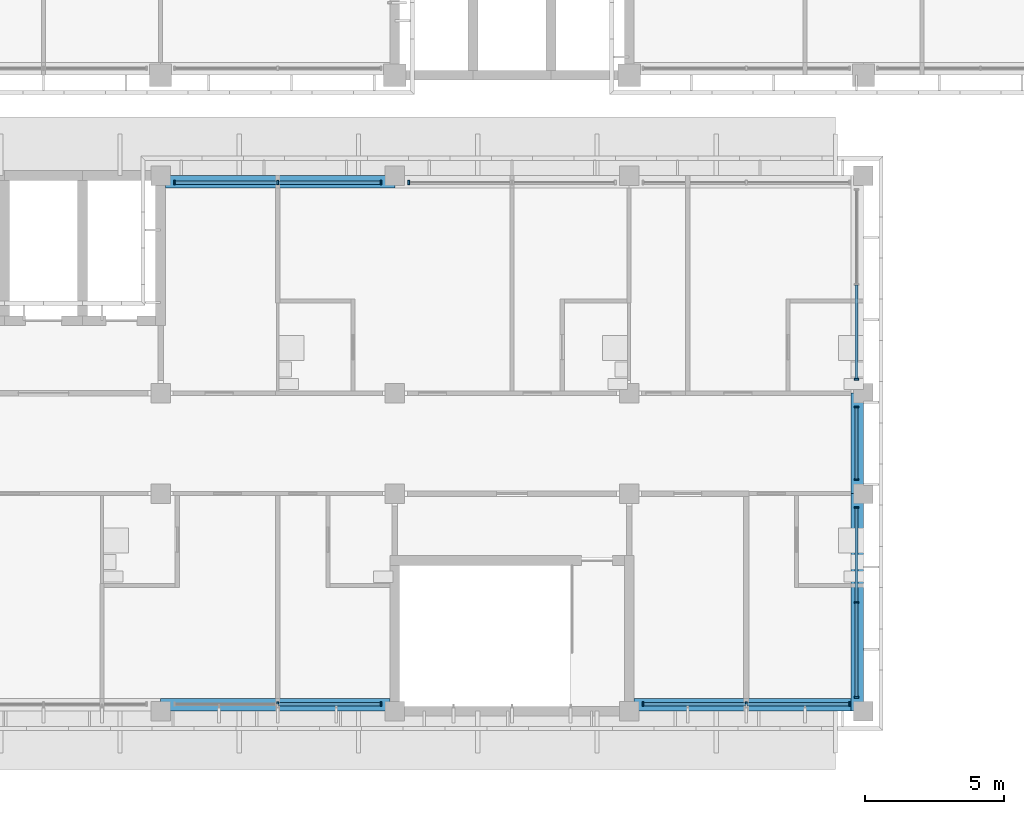
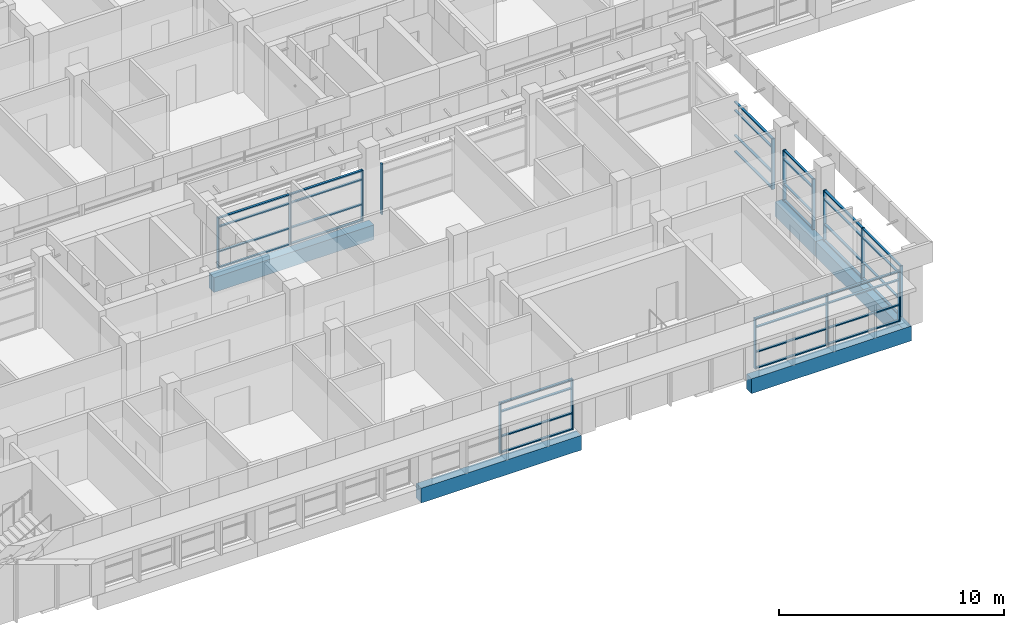
# One storey, part 14 of 71: 51 members, 5 beams, 7 elements without a shape of their own.
"""IFC4 building model written with IfcOpenShell, lengths in metres."""

import ifcopenshell
import ifcopenshell.guid

model = None  # the IFC model being written
_history = None  # IfcOwnerHistory: only IFC2X3 demands one
_inside = {}  # id of a spatial element -> (the spatial element, [elements in it])
_under = {}  # id of a project, library or spatial element -> (it, [spatial elements below it])
_declared = {}  # id of a project -> (the project, [libraries it declares])
_typed = {}  # id of a type object -> (the type object, [elements of that type])
_made_of = {}  # id of a material, layer set ... -> (it, [elements and type objects made of it])


def new_model(schema):
    """Start an empty IFC model of exactly this schema.

    Asked for "IFC4X3", IfcOpenShell would pick the latest addendum, in which some entities
    have other attributes; the version numbers below select the first issue.
    IFC2X3 requires an IfcOwnerHistory on every rooted entity: one is made here for all.
    """
    global model, _history
    if schema == "IFC4X3":
        model = ifcopenshell.file(schema_version=(4, 3, 0, 0))
    else:
        model = ifcopenshell.file(schema=schema)
    _inside.clear()
    _under.clear()
    _declared.clear()
    _typed.clear()
    _made_of.clear()
    _history = None
    if model.schema == "IFC2X3":
        org = make("IfcOrganization", Name="unknown")
        user = make(
            "IfcPersonAndOrganization",
            ThePerson=make("IfcPerson", FamilyName="unknown"),
            TheOrganization=org,
        )
        app = make(
            "IfcApplication",
            ApplicationDeveloper=org,
            Version="unknown",
            ApplicationFullName="unknown",
            ApplicationIdentifier="unknown",
        )
        _history = make(
            "IfcOwnerHistory",
            OwningUser=user,
            OwningApplication=app,
            ChangeAction="ADDED",
            CreationDate=0,
        )
    return model


def make(cls, **values):
    """One entity of the class cls with the attributes given. An attribute that is None is left unset."""
    return model.create_entity(
        cls, **{name: value for name, value in values.items() if value is not None}
    )


def rooted(cls, **values):
    """An entity with a GlobalId (a new one), such as an element, a storey or a relation."""
    return make(cls, GlobalId=ifcopenshell.guid.new(), OwnerHistory=_history, **values)


def si_unit(unit_type, name, prefix=None):
    """IfcSIUnit, for example si_unit("LENGTHUNIT", "METRE", prefix="MILLI")."""
    return make("IfcSIUnit", UnitType=unit_type, Prefix=prefix, Name=name)


def assignment(units):
    """IfcUnitAssignment: the units of a project."""
    return None if units is None else make("IfcUnitAssignment", Units=units)


def point(xyz):
    """IfcCartesianPoint."""
    return None if xyz is None else make("IfcCartesianPoint", Coordinates=xyz)


def direction(xyz):
    """IfcDirection."""
    return None if xyz is None else make("IfcDirection", DirectionRatios=xyz)


def frame(location, z_axis=None, x_axis=None):
    """IfcAxis2Placement3D, a coordinate frame: its origin and axes. An axis left out is left unset."""
    return make(
        "IfcAxis2Placement3D",
        Location=point(location),
        Axis=direction(z_axis),
        RefDirection=direction(x_axis),
    )


def frame_2d(location, x_axis=None):
    """IfcAxis2Placement2D, a coordinate frame in the plane: its origin and x axis."""
    return make(
        "IfcAxis2Placement2D", Location=point(location), RefDirection=direction(x_axis)
    )


def origin():
    """The frame at (0, 0, 0) with its axes left unset."""
    return frame((0.0, 0.0, 0.0))


def origin_2d():
    """The frame at (0, 0) in the plane with its x axis left unset."""
    return frame_2d((0.0, 0.0))


def place(relative_to, where):
    """IfcLocalPlacement: puts the frame where relative to a parent placement (None: the world)."""
    return make(
        "IfcLocalPlacement", PlacementRelTo=relative_to, RelativePlacement=where
    )


def context(
    kind, dimensions, precision=None, world=None, true_north=None, identifier=None
):
    """IfcGeometricRepresentationContext, for example the 3D "Model" context."""
    return make(
        "IfcGeometricRepresentationContext",
        ContextIdentifier=identifier,
        ContextType=kind,
        CoordinateSpaceDimension=dimensions,
        Precision=precision,
        WorldCoordinateSystem=world,
        TrueNorth=true_north,
    )


def subcontext(parent, identifier, kind, view, scale=None):
    """IfcGeometricRepresentationSubContext, for example "Body" below "Model"."""
    return make(
        "IfcGeometricRepresentationSubContext",
        ContextIdentifier=identifier,
        ContextType=kind,
        ParentContext=parent,
        TargetScale=scale,
        TargetView=view,
    )


def project(units=None, contexts=None):
    """IfcProject with its units and contexts."""
    return rooted(
        "IfcProject",
        Name="project",
        RepresentationContexts=contexts,
        UnitsInContext=assignment(units),
    )


def spatial(cls, under=None, at=None, **own):
    """A site, building, storey or space (cls), placed at a placement, below another one or the project."""
    s = rooted(cls, ObjectPlacement=at, **own)
    if under is not None:
        _under.setdefault(under.id(), (under, []))[1].append(s)
    return s


def profile(cls, at=None, kind="AREA", **sizes):
    """A parametric profile (cls). Its sizes go by their IFC names, for example OverallWidth=200.0."""
    return make(cls, ProfileType=kind, Position=at, **sizes)


def rectangle(**sizes):
    """IfcRectangleProfileDef."""
    return profile("IfcRectangleProfileDef", **sizes)


def extrude(swept, where, along, depth):
    """IfcExtrudedAreaSolid: the profile swept, set in the frame where, extruded along a direction by depth."""
    return make(
        "IfcExtrudedAreaSolid",
        SweptArea=swept,
        Position=where,
        ExtrudedDirection=direction(along),
        Depth=depth,
    )


def shape(context_of_items, identifier, shape_type, items):
    """IfcShapeRepresentation: the items that make up one representation, for example the "Body"."""
    return make(
        "IfcShapeRepresentation",
        ContextOfItems=context_of_items,
        RepresentationIdentifier=identifier,
        RepresentationType=shape_type,
        Items=items,
    )


def material(Name=None, Category=None):
    """IfcMaterial."""
    return make("IfcMaterial", Name=Name, Category=Category)


def material_profile(
    of_material, cross_section, Name=None, Category=None, Priority=None
):
    """IfcMaterialProfile: a cross section and its material."""
    return make(
        "IfcMaterialProfile",
        Name=Name,
        Material=of_material,
        Profile=cross_section,
        Priority=Priority,
        Category=Category,
    )


def profile_set(profiles, Name=None, composite=None):
    """IfcMaterialProfileSet."""
    return make(
        "IfcMaterialProfileSet",
        Name=Name,
        MaterialProfiles=profiles,
        CompositeProfile=composite,
    )


def made_of(thing, what):
    """Note that an element or type object is made of a material, layer set ...; save() writes the relation."""
    if what is not None:
        _made_of.setdefault(what.id(), (what, []))[1].append(thing)
    return thing


def type_object(cls, material=None, **own):
    """A type object (cls), such as IfcWallType, which elements share."""
    return made_of(rooted(cls, **own), material)


def element(
    cls,
    number,
    at=None,
    inside=None,
    cuts=None,
    type_object=None,
    material=None,
    context=None,
    identifier="Body",
    shape_type=None,
    held_by="IfcProductDefinitionShape",
    body=None,
    shapes=None,
    **own,
):
    """One element of the class cls, such as IfcWall. Its Tag is "e" and its number.

    at: its placement. inside: the storey or other place that contains it. cuts: it is an
    opening in that element (IfcRelVoidsElement). A single representation is given by context,
    identifier, shape_type and body (its items); several are given by shapes. held_by: the class
    of the entity that holds the representations. save() writes the other relations.
    """
    e = rooted(cls, Tag="e%d" % number, ObjectPlacement=at, **own)
    if body is not None:
        shapes = [shape(context, identifier, shape_type, body)]
    if shapes is not None:
        e.Representation = make(held_by, Representations=shapes)
    if inside is not None:
        _inside.setdefault(inside.id(), (inside, []))[1].append(e)
    if cuts is not None:
        rooted(
            "IfcRelVoidsElement", RelatingBuildingElement=cuts, RelatedOpeningElement=e
        )
    if type_object is not None:
        _typed.setdefault(type_object.id(), (type_object, []))[1].append(e)
    return made_of(e, material)


def aggregate(whole, parts):
    """IfcRelAggregates: a whole, such as a stair, and the parts it consists of."""
    return rooted("IfcRelAggregates", RelatingObject=whole, RelatedObjects=parts)


def save(model, path):
    """Write the relations noted so far, then the file.

    IfcRelAggregates (storeys below a building ...), IfcRelContainedInSpatialStructure (elements
    in a storey), IfcRelDefinesByType, IfcRelAssociatesMaterial and IfcRelDeclares: one each for
    every whole, place, type object, material and project.
    """
    for whole, parts in _under.values():
        aggregate(whole, parts)
    for where, things in _inside.values():
        rooted(
            "IfcRelContainedInSpatialStructure",
            RelatedElements=things,
            RelatingStructure=where,
        )
    for kind, things in _typed.values():
        rooted("IfcRelDefinesByType", RelatedObjects=things, RelatingType=kind)
    for what, things in _made_of.values():
        rooted("IfcRelAssociatesMaterial", RelatedObjects=things, RelatingMaterial=what)
    for by, libraries in _declared.values():
        rooted("IfcRelDeclares", RelatingContext=by, RelatedDefinitions=libraries)
    model.write(path)


model = new_model("IFC4")

# Units and contexts
model_context = context("Model", 3, precision=1e-05, world=origin(), true_north=direction((0.0, 1.0)))
body_context = subcontext(model_context, "Body", "Model", "MODEL_VIEW")
ifc_project = project(units=[si_unit("LENGTHUNIT", "METRE"), si_unit("AREAUNIT", "SQUARE_METRE"), si_unit("VOLUMEUNIT", "CUBIC_METRE"), si_unit("PLANEANGLEUNIT", "RADIAN"), si_unit("MASSUNIT", "GRAM", prefix="KILO")], contexts=[model_context])

# Site, building, storey
site_placement = place(None, origin())
site = spatial("IfcSite", under=ifc_project, at=site_placement, CompositionType="ELEMENT")
building_placement = place(site_placement, origin())
building = spatial("IfcBuilding", under=site, at=building_placement, Name="Bougainvillea Quay General Hospital", CompositionType="ELEMENT")
storey_placement = place(building_placement, frame((0.0, 0.0, 24.89990234375)))
storey = spatial("IfcBuildingStorey", under=building, at=storey_placement, Name="L05", CompositionType="ELEMENT", Elevation=24.89990234375)

# Curtain wall, members
ifc_material_1 = material(Name="Aluminium curtain wall system, powder-coated glazed", Category="aluminium")
curtain_wall_type_1 = type_object("IfcCurtainWallType", Name="Unitised curtain wall CW-3730", PredefinedType="NOTDEFINED", material=ifc_material_1)
curtain_wall_1_placement = place(storey_placement, origin())
curtain_wall_1 = element("IfcCurtainWall", 1, at=curtain_wall_1_placement, inside=storey, type_object=curtain_wall_type_1, Name="CW-4200 09", PredefinedType="NOTDEFINED")
ifc_material_2 = material(Name="Aluminium mullion, powder-coated charcoal", Category="aluminium")
ifc_material_profile_1 = material_profile(ifc_material_2, rectangle(XDim=0.159912109375, YDim=0.06005859375, at=origin_2d()))
ifc_profile_set_1 = profile_set([ifc_material_profile_1], Name="Aluminium mullion, powder-coated charcoal")
member_type_1 = type_object("IfcMemberType", Name="Curtain wall mullion 160x60", PredefinedType="MULLION", material=ifc_profile_set_1)
member_1_placement = place(storey_placement, frame((147.0, 117.85009765625, 0.0), z_axis=(0.0, 0.0, 1.0), x_axis=(0.0, 1.0, 0.0)))
member_1 = element("IfcMember", 2, at=member_1_placement, type_object=member_type_1, Name="CW-4200 mullion 2", PredefinedType="MULLION", context=body_context, shape_type="SweptSolid", body=[
    extrude(rectangle(XDim=0.159912109375, YDim=0.06005859375, at=origin_2d()), origin(), (0.0, 0.0, 1.0), 2.75),
])
member_2_placement = place(storey_placement, frame((150.699951171875, 117.85009765625, 0.0), z_axis=(0.0, 0.0, 1.0), x_axis=(0.0, 1.0, 0.0)))
member_2 = element("IfcMember", 3, at=member_2_placement, type_object=member_type_1, Name="CW-4200 mullion 3", PredefinedType="MULLION", context=body_context, shape_type="SweptSolid", body=[
    extrude(rectangle(XDim=0.159912109375, YDim=0.06005859375, at=origin_2d()), origin(), (0.0, 0.0, 1.0), 2.75),
])

curtain_wall_2_placement = place(storey_placement, origin())
curtain_wall_2 = element("IfcCurtainWall", 4, at=curtain_wall_2_placement, inside=storey, type_object=curtain_wall_type_1, Name="CW-4200 10", PredefinedType="NOTDEFINED")
member_3_placement = place(storey_placement, frame((160.10009765625, 117.85009765625, 0.0), z_axis=(0.0, 0.0, 1.0), x_axis=(0.0, 1.0, 0.0)))
member_3 = element("IfcMember", 5, at=member_3_placement, type_object=member_type_1, Name="CW-4200 mullion 1", PredefinedType="MULLION", context=body_context, shape_type="SweptSolid", body=[
    extrude(rectangle(XDim=0.159912109375, YDim=0.06005859375, at=origin_2d()), origin(), (0.0, 0.0, 1.0), 2.75),
])
member_4_placement = place(storey_placement, frame((163.800048828125, 117.85009765625, 0.0), z_axis=(0.0, 0.0, 1.0), x_axis=(0.0, 1.0, 0.0)))
member_4 = element("IfcMember", 6, at=member_4_placement, type_object=member_type_1, Name="CW-4200 mullion 2", PredefinedType="MULLION", context=body_context, shape_type="SweptSolid", body=[
    extrude(rectangle(XDim=0.159912109375, YDim=0.06005859375, at=origin_2d()), origin(), (0.0, 0.0, 1.0), 2.75),
])
member_5_placement = place(storey_placement, frame((167.5, 117.85009765625, 0.0), z_axis=(0.0, 0.0, 1.0), x_axis=(0.0, 1.0, 0.0)))
member_5 = element("IfcMember", 7, at=member_5_placement, type_object=member_type_1, Name="CW-4200 mullion 3", PredefinedType="MULLION", context=body_context, shape_type="SweptSolid", body=[
    extrude(rectangle(XDim=0.159912109375, YDim=0.06005859375, at=origin_2d()), origin(), (0.0, 0.0, 1.0), 2.75),
])

curtain_wall_type_2 = type_object("IfcCurtainWallType", Name="Unitised curtain wall CW-3430", PredefinedType="NOTDEFINED", material=ifc_material_1)
curtain_wall_3_placement = place(storey_placement, origin())
curtain_wall_3 = element("IfcCurtainWall", 8, at=curtain_wall_3_placement, inside=storey, type_object=curtain_wall_type_2, Name="CW-4200 00", PredefinedType="NOTDEFINED")
member_6_placement = place(storey_placement, frame((167.75, 118.10009765625, 0.0), z_axis=(0.0, 0.0, 1.0), x_axis=(-1.0, 0.0, 0.0)))
member_6 = element("IfcMember", 9, at=member_6_placement, type_object=member_type_1, Name="CW-4200 mullion 1", PredefinedType="MULLION", context=body_context, shape_type="SweptSolid", body=[
    extrude(rectangle(XDim=0.159912109375, YDim=0.06005859375, at=origin_2d()), origin(), (0.0, 0.0, 1.0), 2.75),
])
member_7_placement = place(storey_placement, frame((167.75, 121.5, 0.0), z_axis=(0.0, 0.0, 1.0), x_axis=(-1.0, 0.0, 0.0)))
member_7 = element("IfcMember", 10, at=member_7_placement, type_object=member_type_1, Name="CW-4200 mullion 2", PredefinedType="MULLION", context=body_context, shape_type="SweptSolid", body=[
    extrude(rectangle(XDim=0.159912109375, YDim=0.06005859375, at=origin_2d()), origin(), (0.0, 0.0, 1.0), 2.75),
])
member_8_placement = place(storey_placement, frame((167.75, 124.89990234375, 0.0), z_axis=(0.0, 0.0, 1.0), x_axis=(-1.0, 0.0, 0.0)))
member_8 = element("IfcMember", 11, at=member_8_placement, type_object=member_type_1, Name="CW-4200 mullion 3", PredefinedType="MULLION", context=body_context, shape_type="SweptSolid", body=[
    extrude(rectangle(XDim=0.159912109375, YDim=0.06005859375, at=origin_2d()), origin(), (0.0, 0.0, 1.0), 2.75),
])

curtain_wall_type_3 = type_object("IfcCurtainWallType", Name="Unitised curtain wall CW-2660", PredefinedType="NOTDEFINED", material=ifc_material_1)
curtain_wall_4_placement = place(storey_placement, origin())
curtain_wall_4 = element("IfcCurtainWall", 12, at=curtain_wall_4_placement, inside=storey, type_object=curtain_wall_type_3, Name="CW-4200 01", PredefinedType="NOTDEFINED")
member_9_placement = place(storey_placement, frame((167.75, 125.89990234375, 0.0), z_axis=(0.0, 0.0, 1.0), x_axis=(-1.0, 0.0, 0.0)))
member_9 = element("IfcMember", 13, at=member_9_placement, type_object=member_type_1, Name="CW-4200 mullion 1", PredefinedType="MULLION", context=body_context, shape_type="SweptSolid", body=[
    extrude(rectangle(XDim=0.159912109375, YDim=0.06005859375, at=origin_2d()), origin(), (0.0, 0.0, 1.0), 2.75),
])
member_10_placement = place(storey_placement, frame((167.75, 128.5, 0.0), z_axis=(0.0, 0.0, 1.0), x_axis=(-1.0, 0.0, 0.0)))
member_10 = element("IfcMember", 14, at=member_10_placement, type_object=member_type_1, Name="CW-4200 mullion 2", PredefinedType="MULLION", context=body_context, shape_type="SweptSolid", body=[
    extrude(rectangle(XDim=0.159912109375, YDim=0.06005859375, at=origin_2d()), origin(), (0.0, 0.0, 1.0), 2.75),
])

# Curtain wall, member
curtain_wall_5_placement = place(storey_placement, origin())
curtain_wall_5 = element("IfcCurtainWall", 15, at=curtain_wall_5_placement, inside=storey, type_object=curtain_wall_type_2, Name="CW-4200 02", PredefinedType="NOTDEFINED")
member_11_placement = place(storey_placement, frame((167.75, 129.5, 0.0), z_axis=(0.0, 0.0, 1.0), x_axis=(-1.0, 0.0, 0.0)))
member_11 = element("IfcMember", 16, at=member_11_placement, type_object=member_type_1, Name="CW-4200 mullion 1", PredefinedType="MULLION", context=body_context, shape_type="SweptSolid", body=[
    extrude(rectangle(XDim=0.159912109375, YDim=0.06005859375, at=origin_2d()), origin(), (0.0, 0.0, 1.0), 2.75),
])

curtain_wall_6_placement = place(storey_placement, origin())
curtain_wall_6 = element("IfcCurtainWall", 17, at=curtain_wall_6_placement, inside=storey, type_object=curtain_wall_type_1, Name="CW-4200 01", PredefinedType="NOTDEFINED")
member_12_placement = place(storey_placement, frame((151.699951171875, 136.550048828125, 0.0), z_axis=(0.0, 0.0, 1.0), x_axis=(0.0, -1.0, 0.0)))
member_12 = element("IfcMember", 18, at=member_12_placement, type_object=member_type_1, Name="CW-4200 mullion 3", PredefinedType="MULLION", context=body_context, shape_type="SweptSolid", body=[
    extrude(rectangle(XDim=0.159912109375, YDim=0.06005859375, at=origin_2d()), origin(), (0.0, 0.0, 1.0), 2.75),
])
aggregate(curtain_wall_6, [member_12])

# Curtain wall, members
curtain_wall_7_placement = place(storey_placement, origin())
curtain_wall_7 = element("IfcCurtainWall", 19, at=curtain_wall_7_placement, inside=storey, type_object=curtain_wall_type_1, Name="CW-4200 02", PredefinedType="NOTDEFINED")
member_13_placement = place(storey_placement, frame((150.699951171875, 136.550048828125, 0.0), z_axis=(0.0, 0.0, 1.0), x_axis=(0.0, -1.0, 0.0)))
member_13 = element("IfcMember", 20, at=member_13_placement, type_object=member_type_1, Name="CW-4200 mullion 1", PredefinedType="MULLION", context=body_context, shape_type="SweptSolid", body=[
    extrude(rectangle(XDim=0.159912109375, YDim=0.06005859375, at=origin_2d()), origin(), (0.0, 0.0, 1.0), 2.75),
])
member_14_placement = place(storey_placement, frame((147.0, 136.550048828125, 0.0), z_axis=(0.0, 0.0, 1.0), x_axis=(0.0, -1.0, 0.0)))
member_14 = element("IfcMember", 21, at=member_14_placement, type_object=member_type_1, Name="CW-4200 mullion 2", PredefinedType="MULLION", context=body_context, shape_type="SweptSolid", body=[
    extrude(rectangle(XDim=0.159912109375, YDim=0.06005859375, at=origin_2d()), origin(), (0.0, 0.0, 1.0), 2.75),
])
member_15_placement = place(storey_placement, frame((143.300048828125, 136.550048828125, 0.0), z_axis=(0.0, 0.0, 1.0), x_axis=(0.0, -1.0, 0.0)))
member_15 = element("IfcMember", 22, at=member_15_placement, type_object=member_type_1, Name="CW-4200 mullion 3", PredefinedType="MULLION", context=body_context, shape_type="SweptSolid", body=[
    extrude(rectangle(XDim=0.159912109375, YDim=0.06005859375, at=origin_2d()), origin(), (0.0, 0.0, 1.0), 2.75),
])

# Member
ifc_material_3 = material(Name="Aluminium transom, powder-coated charcoal", Category="aluminium")
ifc_material_profile_2 = material_profile(ifc_material_3, rectangle(XDim=0.1201171875, YDim=0.06005859375, at=origin_2d()))
ifc_profile_set_2 = profile_set([ifc_material_profile_2], Name="Aluminium transom, powder-coated charcoal")
member_type_2 = type_object("IfcMemberType", Name="Curtain wall transom 120x60", PredefinedType="USERDEFINED", material=ifc_profile_set_2)
member_16_placement = place(storey_placement, frame((147.030029296875, 117.85009765625, 0.030029296875), z_axis=(1.0, 0.0, 0.0), x_axis=(0.0, 1.0, 0.0)))
member_16 = element("IfcMember", 23, at=member_16_placement, type_object=member_type_2, Name="CW-4200 transom 2.1", ObjectType="TRANSOM", PredefinedType="USERDEFINED", context=body_context, shape_type="SweptSolid", body=[
    extrude(rectangle(XDim=0.1201171875, YDim=0.06005859375, at=origin_2d()), origin(), (0.0, 0.0, 1.0), 3.639892578125),
])

member_17_placement = place(storey_placement, frame((147.030029296875, 117.85009765625, 0.900146484375), z_axis=(1.0, 0.0, 0.0), x_axis=(0.0, 1.0, 0.0)))
member_17 = element("IfcMember", 24, at=member_17_placement, type_object=member_type_2, Name="CW-4200 transom 2.2", ObjectType="TRANSOM", PredefinedType="USERDEFINED", context=body_context, shape_type="SweptSolid", body=[
    extrude(rectangle(XDim=0.1201171875, YDim=0.06005859375, at=origin_2d()), origin(), (0.0, 0.0, 1.0), 3.639892578125),
])

member_18_placement = place(storey_placement, frame((147.030029296875, 117.85009765625, 2.25), z_axis=(1.0, 0.0, 0.0), x_axis=(0.0, 1.0, 0.0)))
member_18 = element("IfcMember", 25, at=member_18_placement, type_object=member_type_2, Name="CW-4200 transom 2.3", ObjectType="TRANSOM", PredefinedType="USERDEFINED", context=body_context, shape_type="SweptSolid", body=[
    extrude(rectangle(XDim=0.1201171875, YDim=0.06005859375, at=origin_2d()), origin(), (0.0, 0.0, 1.0), 3.639892578125),
])

member_19_placement = place(storey_placement, frame((147.030029296875, 117.85009765625, 2.72021484375), z_axis=(1.0, 0.0, 0.0), x_axis=(0.0, 1.0, 0.0)))
member_19 = element("IfcMember", 26, at=member_19_placement, type_object=member_type_2, Name="CW-4200 transom 2.4", ObjectType="TRANSOM", PredefinedType="USERDEFINED", context=body_context, shape_type="SweptSolid", body=[
    extrude(rectangle(XDim=0.1201171875, YDim=0.06005859375, at=origin_2d()), origin(), (0.0, 0.0, 1.0), 3.639892578125),
])

aggregate(curtain_wall_1, [member_1, member_2, member_16, member_17, member_18, member_19])

member_20_placement = place(storey_placement, frame((160.1298828125, 117.85009765625, 0.030029296875), z_axis=(1.0, 0.0, 0.0), x_axis=(0.0, 1.0, 0.0)))
member_20 = element("IfcMember", 27, at=member_20_placement, type_object=member_type_2, Name="CW-4200 transom 1.1", ObjectType="TRANSOM", PredefinedType="USERDEFINED", context=body_context, shape_type="SweptSolid", body=[
    extrude(rectangle(XDim=0.1201171875, YDim=0.06005859375, at=origin_2d()), origin(), (0.0, 0.0, 1.0), 3.64013671875),
])

member_21_placement = place(storey_placement, frame((160.1298828125, 117.85009765625, 0.900146484375), z_axis=(1.0, 0.0, 0.0), x_axis=(0.0, 1.0, 0.0)))
member_21 = element("IfcMember", 28, at=member_21_placement, type_object=member_type_2, Name="CW-4200 transom 1.2", ObjectType="TRANSOM", PredefinedType="USERDEFINED", context=body_context, shape_type="SweptSolid", body=[
    extrude(rectangle(XDim=0.1201171875, YDim=0.06005859375, at=origin_2d()), origin(), (0.0, 0.0, 1.0), 3.64013671875),
])

member_22_placement = place(storey_placement, frame((160.1298828125, 117.85009765625, 2.25), z_axis=(1.0, 0.0, 0.0), x_axis=(0.0, 1.0, 0.0)))
member_22 = element("IfcMember", 29, at=member_22_placement, type_object=member_type_2, Name="CW-4200 transom 1.3", ObjectType="TRANSOM", PredefinedType="USERDEFINED", context=body_context, shape_type="SweptSolid", body=[
    extrude(rectangle(XDim=0.1201171875, YDim=0.06005859375, at=origin_2d()), origin(), (0.0, 0.0, 1.0), 3.64013671875),
])

member_23_placement = place(storey_placement, frame((160.1298828125, 117.85009765625, 2.72021484375), z_axis=(1.0, 0.0, 0.0), x_axis=(0.0, 1.0, 0.0)))
member_23 = element("IfcMember", 30, at=member_23_placement, type_object=member_type_2, Name="CW-4200 transom 1.4", ObjectType="TRANSOM", PredefinedType="USERDEFINED", context=body_context, shape_type="SweptSolid", body=[
    extrude(rectangle(XDim=0.1201171875, YDim=0.06005859375, at=origin_2d()), origin(), (0.0, 0.0, 1.0), 3.64013671875),
])

member_24_placement = place(storey_placement, frame((163.830078125, 117.85009765625, 0.030029296875), z_axis=(1.0, 0.0, 0.0), x_axis=(0.0, 1.0, 0.0)))
member_24 = element("IfcMember", 31, at=member_24_placement, type_object=member_type_2, Name="CW-4200 transom 2.1", ObjectType="TRANSOM", PredefinedType="USERDEFINED", context=body_context, shape_type="SweptSolid", body=[
    extrude(rectangle(XDim=0.1201171875, YDim=0.06005859375, at=origin_2d()), origin(), (0.0, 0.0, 1.0), 3.639892578125),
])

member_25_placement = place(storey_placement, frame((163.830078125, 117.85009765625, 0.900146484375), z_axis=(1.0, 0.0, 0.0), x_axis=(0.0, 1.0, 0.0)))
member_25 = element("IfcMember", 32, at=member_25_placement, type_object=member_type_2, Name="CW-4200 transom 2.2", ObjectType="TRANSOM", PredefinedType="USERDEFINED", context=body_context, shape_type="SweptSolid", body=[
    extrude(rectangle(XDim=0.1201171875, YDim=0.06005859375, at=origin_2d()), origin(), (0.0, 0.0, 1.0), 3.639892578125),
])

member_26_placement = place(storey_placement, frame((163.830078125, 117.85009765625, 2.25), z_axis=(1.0, 0.0, 0.0), x_axis=(0.0, 1.0, 0.0)))
member_26 = element("IfcMember", 33, at=member_26_placement, type_object=member_type_2, Name="CW-4200 transom 2.3", ObjectType="TRANSOM", PredefinedType="USERDEFINED", context=body_context, shape_type="SweptSolid", body=[
    extrude(rectangle(XDim=0.1201171875, YDim=0.06005859375, at=origin_2d()), origin(), (0.0, 0.0, 1.0), 3.639892578125),
])

member_27_placement = place(storey_placement, frame((163.830078125, 117.85009765625, 2.72021484375), z_axis=(1.0, 0.0, 0.0), x_axis=(0.0, 1.0, 0.0)))
member_27 = element("IfcMember", 34, at=member_27_placement, type_object=member_type_2, Name="CW-4200 transom 2.4", ObjectType="TRANSOM", PredefinedType="USERDEFINED", context=body_context, shape_type="SweptSolid", body=[
    extrude(rectangle(XDim=0.1201171875, YDim=0.06005859375, at=origin_2d()), origin(), (0.0, 0.0, 1.0), 3.639892578125),
])

aggregate(curtain_wall_2, [member_3, member_4, member_5, member_20, member_21, member_22, member_23, member_24, member_25, member_26, member_27])

member_28_placement = place(storey_placement, frame((167.75, 118.1298828125, 0.030029296875), z_axis=(0.0, 1.0, 0.0), x_axis=(-1.0, 0.0, 0.0)))
member_28 = element("IfcMember", 35, at=member_28_placement, type_object=member_type_2, Name="CW-4200 transom 1.1", ObjectType="TRANSOM", PredefinedType="USERDEFINED", context=body_context, shape_type="SweptSolid", body=[
    extrude(rectangle(XDim=0.1201171875, YDim=0.06005859375, at=origin_2d()), origin(), (0.0, 0.0, 1.0), 3.340087890625),
])

member_29_placement = place(storey_placement, frame((167.75, 118.1298828125, 0.900146484375), z_axis=(0.0, 1.0, 0.0), x_axis=(-1.0, 0.0, 0.0)))
member_29 = element("IfcMember", 36, at=member_29_placement, type_object=member_type_2, Name="CW-4200 transom 1.2", ObjectType="TRANSOM", PredefinedType="USERDEFINED", context=body_context, shape_type="SweptSolid", body=[
    extrude(rectangle(XDim=0.1201171875, YDim=0.06005859375, at=origin_2d()), origin(), (0.0, 0.0, 1.0), 3.340087890625),
])

member_30_placement = place(storey_placement, frame((167.75, 118.1298828125, 2.25), z_axis=(0.0, 1.0, 0.0), x_axis=(-1.0, 0.0, 0.0)))
member_30 = element("IfcMember", 37, at=member_30_placement, type_object=member_type_2, Name="CW-4200 transom 1.3", ObjectType="TRANSOM", PredefinedType="USERDEFINED", context=body_context, shape_type="SweptSolid", body=[
    extrude(rectangle(XDim=0.1201171875, YDim=0.06005859375, at=origin_2d()), origin(), (0.0, 0.0, 1.0), 3.340087890625),
])

member_31_placement = place(storey_placement, frame((167.75, 118.1298828125, 2.72021484375), z_axis=(0.0, 1.0, 0.0), x_axis=(-1.0, 0.0, 0.0)))
member_31 = element("IfcMember", 38, at=member_31_placement, type_object=member_type_2, Name="CW-4200 transom 1.4", ObjectType="TRANSOM", PredefinedType="USERDEFINED", context=body_context, shape_type="SweptSolid", body=[
    extrude(rectangle(XDim=0.1201171875, YDim=0.06005859375, at=origin_2d()), origin(), (0.0, 0.0, 1.0), 3.340087890625),
])

member_32_placement = place(storey_placement, frame((167.75, 121.530029296875, 0.030029296875), z_axis=(0.0, 1.0, 0.0), x_axis=(-1.0, 0.0, 0.0)))
member_32 = element("IfcMember", 39, at=member_32_placement, type_object=member_type_2, Name="CW-4200 transom 2.1", ObjectType="TRANSOM", PredefinedType="USERDEFINED", context=body_context, shape_type="SweptSolid", body=[
    extrude(rectangle(XDim=0.1201171875, YDim=0.06005859375, at=origin_2d()), origin(), (0.0, 0.0, 1.0), 3.340087890625),
])

member_33_placement = place(storey_placement, frame((167.75, 121.530029296875, 0.900146484375), z_axis=(0.0, 1.0, 0.0), x_axis=(-1.0, 0.0, 0.0)))
member_33 = element("IfcMember", 40, at=member_33_placement, type_object=member_type_2, Name="CW-4200 transom 2.2", ObjectType="TRANSOM", PredefinedType="USERDEFINED", context=body_context, shape_type="SweptSolid", body=[
    extrude(rectangle(XDim=0.1201171875, YDim=0.06005859375, at=origin_2d()), origin(), (0.0, 0.0, 1.0), 3.340087890625),
])

member_34_placement = place(storey_placement, frame((167.75, 121.530029296875, 2.25), z_axis=(0.0, 1.0, 0.0), x_axis=(-1.0, 0.0, 0.0)))
member_34 = element("IfcMember", 41, at=member_34_placement, type_object=member_type_2, Name="CW-4200 transom 2.3", ObjectType="TRANSOM", PredefinedType="USERDEFINED", context=body_context, shape_type="SweptSolid", body=[
    extrude(rectangle(XDim=0.1201171875, YDim=0.06005859375, at=origin_2d()), origin(), (0.0, 0.0, 1.0), 3.340087890625),
])

member_35_placement = place(storey_placement, frame((167.75, 121.530029296875, 2.72021484375), z_axis=(0.0, 1.0, 0.0), x_axis=(-1.0, 0.0, 0.0)))
member_35 = element("IfcMember", 42, at=member_35_placement, type_object=member_type_2, Name="CW-4200 transom 2.4", ObjectType="TRANSOM", PredefinedType="USERDEFINED", context=body_context, shape_type="SweptSolid", body=[
    extrude(rectangle(XDim=0.1201171875, YDim=0.06005859375, at=origin_2d()), origin(), (0.0, 0.0, 1.0), 3.340087890625),
])

aggregate(curtain_wall_3, [member_6, member_7, member_8, member_28, member_29, member_30, member_31, member_32, member_33, member_34, member_35])

member_36_placement = place(storey_placement, frame((167.75, 125.929931640625, 0.030029296875), z_axis=(0.0, 1.0, 0.0), x_axis=(-1.0, 0.0, 0.0)))
member_36 = element("IfcMember", 43, at=member_36_placement, type_object=member_type_2, Name="CW-4200 transom 1.1", ObjectType="TRANSOM", PredefinedType="USERDEFINED", context=body_context, shape_type="SweptSolid", body=[
    extrude(rectangle(XDim=0.1201171875, YDim=0.06005859375, at=origin_2d()), origin(), (0.0, 0.0, 1.0), 2.5400390625),
])

member_37_placement = place(storey_placement, frame((167.75, 125.929931640625, 0.900146484375), z_axis=(0.0, 1.0, 0.0), x_axis=(-1.0, 0.0, 0.0)))
member_37 = element("IfcMember", 44, at=member_37_placement, type_object=member_type_2, Name="CW-4200 transom 1.2", ObjectType="TRANSOM", PredefinedType="USERDEFINED", context=body_context, shape_type="SweptSolid", body=[
    extrude(rectangle(XDim=0.1201171875, YDim=0.06005859375, at=origin_2d()), origin(), (0.0, 0.0, 1.0), 2.5400390625),
])

member_38_placement = place(storey_placement, frame((167.75, 125.929931640625, 2.25), z_axis=(0.0, 1.0, 0.0), x_axis=(-1.0, 0.0, 0.0)))
member_38 = element("IfcMember", 45, at=member_38_placement, type_object=member_type_2, Name="CW-4200 transom 1.3", ObjectType="TRANSOM", PredefinedType="USERDEFINED", context=body_context, shape_type="SweptSolid", body=[
    extrude(rectangle(XDim=0.1201171875, YDim=0.06005859375, at=origin_2d()), origin(), (0.0, 0.0, 1.0), 2.5400390625),
])

member_39_placement = place(storey_placement, frame((167.75, 125.929931640625, 2.72021484375), z_axis=(0.0, 1.0, 0.0), x_axis=(-1.0, 0.0, 0.0)))
member_39 = element("IfcMember", 46, at=member_39_placement, type_object=member_type_2, Name="CW-4200 transom 1.4", ObjectType="TRANSOM", PredefinedType="USERDEFINED", context=body_context, shape_type="SweptSolid", body=[
    extrude(rectangle(XDim=0.1201171875, YDim=0.06005859375, at=origin_2d()), origin(), (0.0, 0.0, 1.0), 2.5400390625),
])

aggregate(curtain_wall_4, [member_9, member_10, member_36, member_37, member_38, member_39])

member_40_placement = place(storey_placement, frame((167.75, 129.530029296875, 0.030029296875), z_axis=(0.0, 1.0, 0.0), x_axis=(-1.0, 0.0, 0.0)))
member_40 = element("IfcMember", 47, at=member_40_placement, type_object=member_type_2, Name="CW-4200 transom 1.1", ObjectType="TRANSOM", PredefinedType="USERDEFINED", context=body_context, shape_type="SweptSolid", body=[
    extrude(rectangle(XDim=0.1201171875, YDim=0.06005859375, at=origin_2d()), origin(), (0.0, 0.0, 1.0), 3.340087890625),
])

member_41_placement = place(storey_placement, frame((167.75, 129.530029296875, 0.900146484375), z_axis=(0.0, 1.0, 0.0), x_axis=(-1.0, 0.0, 0.0)))
member_41 = element("IfcMember", 48, at=member_41_placement, type_object=member_type_2, Name="CW-4200 transom 1.2", ObjectType="TRANSOM", PredefinedType="USERDEFINED", context=body_context, shape_type="SweptSolid", body=[
    extrude(rectangle(XDim=0.1201171875, YDim=0.06005859375, at=origin_2d()), origin(), (0.0, 0.0, 1.0), 3.340087890625),
])

member_42_placement = place(storey_placement, frame((167.75, 129.530029296875, 2.25), z_axis=(0.0, 1.0, 0.0), x_axis=(-1.0, 0.0, 0.0)))
member_42 = element("IfcMember", 49, at=member_42_placement, type_object=member_type_2, Name="CW-4200 transom 1.3", ObjectType="TRANSOM", PredefinedType="USERDEFINED", context=body_context, shape_type="SweptSolid", body=[
    extrude(rectangle(XDim=0.1201171875, YDim=0.06005859375, at=origin_2d()), origin(), (0.0, 0.0, 1.0), 3.340087890625),
])

member_43_placement = place(storey_placement, frame((167.75, 129.530029296875, 2.72021484375), z_axis=(0.0, 1.0, 0.0), x_axis=(-1.0, 0.0, 0.0)))
member_43 = element("IfcMember", 50, at=member_43_placement, type_object=member_type_2, Name="CW-4200 transom 1.4", ObjectType="TRANSOM", PredefinedType="USERDEFINED", context=body_context, shape_type="SweptSolid", body=[
    extrude(rectangle(XDim=0.1201171875, YDim=0.06005859375, at=origin_2d()), origin(), (0.0, 0.0, 1.0), 3.340087890625),
])

aggregate(curtain_wall_5, [member_11, member_40, member_41, member_42, member_43])

member_44_placement = place(storey_placement, frame((150.669921875, 136.550048828125, 0.030029296875), z_axis=(-1.0, 0.0, 0.0), x_axis=(0.0, -1.0, 0.0)))
member_44 = element("IfcMember", 51, at=member_44_placement, type_object=member_type_2, Name="CW-4200 transom 1.1", ObjectType="TRANSOM", PredefinedType="USERDEFINED", context=body_context, shape_type="SweptSolid", body=[
    extrude(rectangle(XDim=0.1201171875, YDim=0.06005859375, at=origin_2d()), origin(), (0.0, 0.0, 1.0), 3.639892578125),
])

member_45_placement = place(storey_placement, frame((150.669921875, 136.550048828125, 0.900146484375), z_axis=(-1.0, 0.0, 0.0), x_axis=(0.0, -1.0, 0.0)))
member_45 = element("IfcMember", 52, at=member_45_placement, type_object=member_type_2, Name="CW-4200 transom 1.2", ObjectType="TRANSOM", PredefinedType="USERDEFINED", context=body_context, shape_type="SweptSolid", body=[
    extrude(rectangle(XDim=0.1201171875, YDim=0.06005859375, at=origin_2d()), origin(), (0.0, 0.0, 1.0), 3.639892578125),
])

member_46_placement = place(storey_placement, frame((150.669921875, 136.550048828125, 2.25), z_axis=(-1.0, 0.0, 0.0), x_axis=(0.0, -1.0, 0.0)))
member_46 = element("IfcMember", 53, at=member_46_placement, type_object=member_type_2, Name="CW-4200 transom 1.3", ObjectType="TRANSOM", PredefinedType="USERDEFINED", context=body_context, shape_type="SweptSolid", body=[
    extrude(rectangle(XDim=0.1201171875, YDim=0.06005859375, at=origin_2d()), origin(), (0.0, 0.0, 1.0), 3.639892578125),
])

member_47_placement = place(storey_placement, frame((150.669921875, 136.550048828125, 2.72021484375), z_axis=(-1.0, 0.0, 0.0), x_axis=(0.0, -1.0, 0.0)))
member_47 = element("IfcMember", 54, at=member_47_placement, type_object=member_type_2, Name="CW-4200 transom 1.4", ObjectType="TRANSOM", PredefinedType="USERDEFINED", context=body_context, shape_type="SweptSolid", body=[
    extrude(rectangle(XDim=0.1201171875, YDim=0.06005859375, at=origin_2d()), origin(), (0.0, 0.0, 1.0), 3.639892578125),
])

member_48_placement = place(storey_placement, frame((146.969970703125, 136.550048828125, 0.030029296875), z_axis=(-1.0, 0.0, 0.0), x_axis=(0.0, -1.0, 0.0)))
member_48 = element("IfcMember", 55, at=member_48_placement, type_object=member_type_2, Name="CW-4200 transom 2.1", ObjectType="TRANSOM", PredefinedType="USERDEFINED", context=body_context, shape_type="SweptSolid", body=[
    extrude(rectangle(XDim=0.1201171875, YDim=0.06005859375, at=origin_2d()), origin(), (0.0, 0.0, 1.0), 3.639892578125),
])

member_49_placement = place(storey_placement, frame((146.969970703125, 136.550048828125, 0.900146484375), z_axis=(-1.0, 0.0, 0.0), x_axis=(0.0, -1.0, 0.0)))
member_49 = element("IfcMember", 56, at=member_49_placement, type_object=member_type_2, Name="CW-4200 transom 2.2", ObjectType="TRANSOM", PredefinedType="USERDEFINED", context=body_context, shape_type="SweptSolid", body=[
    extrude(rectangle(XDim=0.1201171875, YDim=0.06005859375, at=origin_2d()), origin(), (0.0, 0.0, 1.0), 3.639892578125),
])

member_50_placement = place(storey_placement, frame((146.969970703125, 136.550048828125, 2.25), z_axis=(-1.0, 0.0, 0.0), x_axis=(0.0, -1.0, 0.0)))
member_50 = element("IfcMember", 57, at=member_50_placement, type_object=member_type_2, Name="CW-4200 transom 2.3", ObjectType="TRANSOM", PredefinedType="USERDEFINED", context=body_context, shape_type="SweptSolid", body=[
    extrude(rectangle(XDim=0.1201171875, YDim=0.06005859375, at=origin_2d()), origin(), (0.0, 0.0, 1.0), 3.639892578125),
])

member_51_placement = place(storey_placement, frame((146.969970703125, 136.550048828125, 2.72021484375), z_axis=(-1.0, 0.0, 0.0), x_axis=(0.0, -1.0, 0.0)))
member_51 = element("IfcMember", 58, at=member_51_placement, type_object=member_type_2, Name="CW-4200 transom 2.4", ObjectType="TRANSOM", PredefinedType="USERDEFINED", context=body_context, shape_type="SweptSolid", body=[
    extrude(rectangle(XDim=0.1201171875, YDim=0.06005859375, at=origin_2d()), origin(), (0.0, 0.0, 1.0), 3.639892578125),
])

aggregate(curtain_wall_7, [member_13, member_14, member_15, member_44, member_45, member_46, member_47, member_48, member_49, member_50, member_51])

# Beams
ifc_material_4 = material(Name="Concrete C40", Category="concrete")
ifc_material_profile_3 = material_profile(ifc_material_4, rectangle(XDim=0.449951171875, YDim=0.800048828125, at=origin_2d()))
ifc_profile_set_3 = profile_set([ifc_material_profile_3], Name="Concrete C40")
beam_type = type_object("IfcBeamType", Name="RC BEAM 450x800 C40", PredefinedType="BEAM", material=ifc_profile_set_3)
beam_1_placement = place(storey_placement, frame((142.800048828125, 117.824951171875, -0.699951171875), z_axis=(1.0, 0.0, 0.0), x_axis=(0.0, 1.0, 0.0)))
element("IfcBeam", 59, at=beam_1_placement, inside=storey, type_object=beam_type, Name="Edge beam L05", PredefinedType="BEAM", context=body_context, shape_type="SweptSolid", body=[
    extrude(rectangle(XDim=0.449951171875, YDim=0.800048828125, at=origin_2d()), origin(), (0.0, 0.0, 1.0), 8.224853515625),
])
beam_2_placement = place(storey_placement, frame((159.77490234375, 117.824951171875, -0.699951171875), z_axis=(1.0, 0.0, 0.0), x_axis=(0.0, 1.0, 0.0)))
element("IfcBeam", 60, at=beam_2_placement, inside=storey, type_object=beam_type, Name="Edge beam L05", PredefinedType="BEAM", context=body_context, shape_type="SweptSolid", body=[
    extrude(rectangle(XDim=0.449951171875, YDim=0.800048828125, at=origin_2d()), origin(), (0.0, 0.0, 1.0), 8.22509765625),
])
beam_3_placement = place(storey_placement, frame((167.77490234375, 117.60009765625, -0.699951171875), z_axis=(0.0, 1.0, 0.0), x_axis=(-1.0, 0.0, 0.0)))
element("IfcBeam", 61, at=beam_3_placement, inside=storey, type_object=beam_type, Name="Edge beam L05", PredefinedType="BEAM", context=body_context, shape_type="SweptSolid", body=[
    extrude(rectangle(XDim=0.449951171875, YDim=0.800048828125, at=origin_2d()), origin(), (0.0, 0.0, 1.0), 7.7998046875),
])
beam_4_placement = place(storey_placement, frame((167.77490234375, 125.39990234375, -0.699951171875), z_axis=(0.0, 1.0, 0.0), x_axis=(-1.0, 0.0, 0.0)))
element("IfcBeam", 62, at=beam_4_placement, inside=storey, type_object=beam_type, Name="Edge beam L05", PredefinedType="BEAM", context=body_context, shape_type="SweptSolid", body=[
    extrude(rectangle(XDim=0.449951171875, YDim=0.800048828125, at=origin_2d()), origin(), (0.0, 0.0, 1.0), 3.60009765625),
])
beam_5_placement = place(storey_placement, frame((151.199951171875, 136.574951171875, -0.699951171875), z_axis=(-1.0, 0.0, 0.0), x_axis=(0.0, -1.0, 0.0)))
element("IfcBeam", 63, at=beam_5_placement, inside=storey, type_object=beam_type, Name="Edge beam L05", PredefinedType="BEAM", context=body_context, shape_type="SweptSolid", body=[
    extrude(rectangle(XDim=0.449951171875, YDim=0.800048828125, at=origin_2d()), origin(), (0.0, 0.0, 1.0), 8.224853515625),
])

save(model, "model.ifc")
